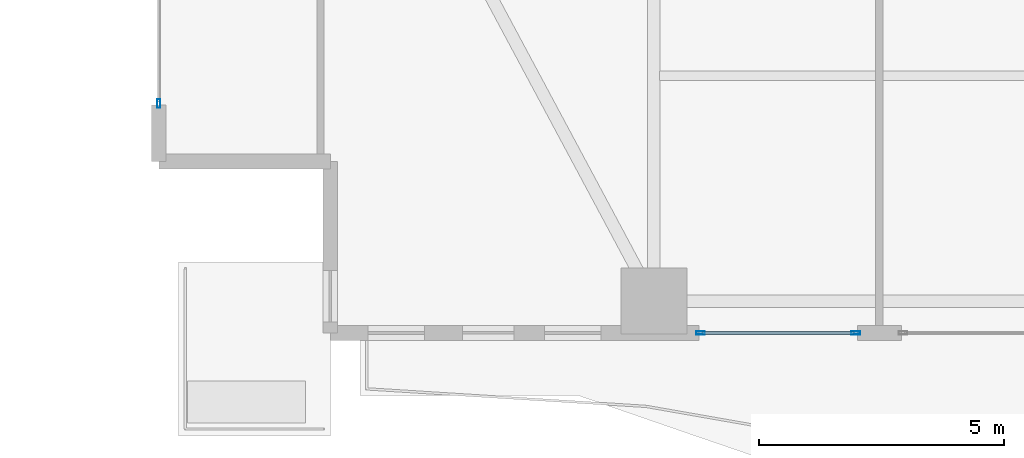
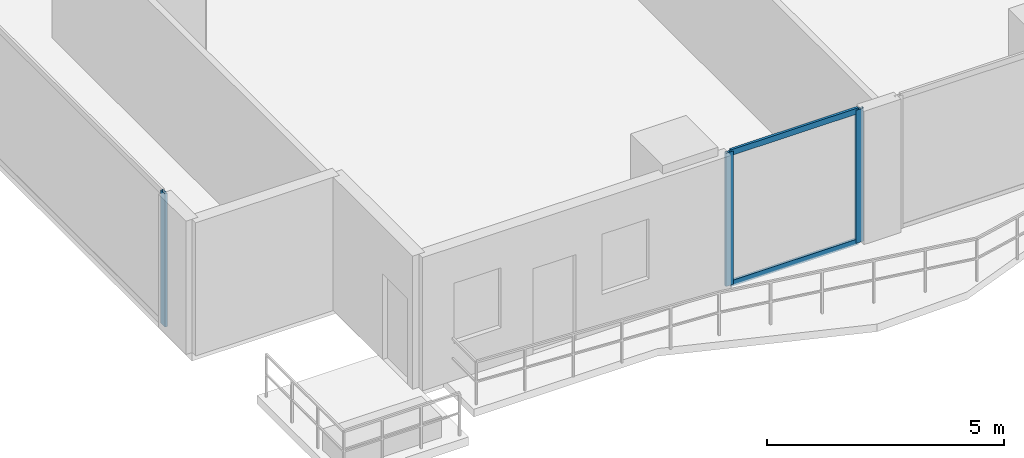
# One storey, part 2 of 27: 5 members, 2 elements without a shape of their own.
"""IFC4 building model written with IfcOpenShell, lengths in metres."""

from ifc_helpers import new_model, si_unit, direction, frame, origin, origin_2d, place, context, subcontext, project, spatial, hollow_rectangle, extrude, material, layer, layer_set, material_profile, profile_set, type_object, element, aggregate, save


model = new_model("IFC4")

# Units and contexts
model_context = context("Model", 3, precision=1e-05, world=origin(), true_north=direction((0.0, 1.0)))
body_context = subcontext(model_context, "Body", "Model", "MODEL_VIEW")
ifc_project = project(units=[si_unit("LENGTHUNIT", "METRE"), si_unit("AREAUNIT", "SQUARE_METRE"), si_unit("VOLUMEUNIT", "CUBIC_METRE"), si_unit("PLANEANGLEUNIT", "RADIAN"), si_unit("MASSUNIT", "GRAM", prefix="KILO")], contexts=[model_context])

# Site, building, storey
site_placement = place(None, origin())
site = spatial("IfcSite", under=ifc_project, at=site_placement, CompositionType="ELEMENT")
building_placement = place(site_placement, origin())
building = spatial("IfcBuilding", under=site, at=building_placement, Name="Zuhayl Quay Hotel", CompositionType="ELEMENT")
storey_placement = place(building_placement, frame((0.0, 0.0, 117.550048828125)))
storey = spatial("IfcBuildingStorey", under=building, at=storey_placement, Name="L29", CompositionType="ELEMENT", Elevation=117.550048828125)

# Curtain wall, member
ifc_material_1 = material(Name="Anodised Aluminium 6063-T6", Category="aluminium")
ifc_layer = layer(ifc_material_1, 0.179931640625, Name="Anodised Aluminium 6063-T6", Category="aluminium")
ifc_layer_set = layer_set([ifc_layer], Name="Anodised Aluminium 6063-T6")
curtain_wall_type = type_object("IfcCurtainWallType", Name="CW_SYS_Z2", PredefinedType="USERDEFINED", material=ifc_layer_set)
curtain_wall_1_placement = place(storey_placement, origin())
curtain_wall_1 = element("IfcCurtainWall", 1, at=curtain_wall_1_placement, inside=storey, type_object=curtain_wall_type, Name="L29 Curtain Wall ENV_L29_E02_CW1", ObjectType="UNITISED CURTAIN WALL", PredefinedType="USERDEFINED")
ifc_material_2 = material(Name="Black-anodised aluminium 6063-T6", Category="aluminium")
ifc_material_profile_1 = material_profile(ifc_material_2, hollow_rectangle(XDim=0.06494140625, YDim=0.179931640625, WallThickness=0.00341796875, at=origin_2d()), Name="ALU180X65")
ifc_profile_set_1 = profile_set([ifc_material_profile_1], Name="Black-anodised aluminium 6063-T6")
member_type_1 = type_object("IfcMemberType", Name="MB_CW_MUL_180", PredefinedType="MULLION", material=ifc_profile_set_1)
member_1_placement = place(storey_placement, frame((-23.89990234375, -10.717529296875, 0.0), z_axis=(0.0, 0.0, 1.0), x_axis=(-1.0, 0.0, 0.0)))
member_1 = element("IfcMember", 2, at=member_1_placement, type_object=member_type_1, Name="CW-Z2 mullion 1", PredefinedType="MULLION", context=body_context, shape_type="SweptSolid", body=[
    extrude(hollow_rectangle(XDim=0.06494140625, YDim=0.179931640625, WallThickness=0.00341796875, at=origin_2d()), origin(), (0.0, 0.0, 1.0), 3.429931640625),
])
aggregate(curtain_wall_1, [member_1])

# Curtain wall, members
curtain_wall_2_placement = place(storey_placement, origin())
curtain_wall_2 = element("IfcCurtainWall", 3, at=curtain_wall_2_placement, inside=storey, type_object=curtain_wall_type, Name="L29 Curtain Wall ENV_L29_S_CW7", ObjectType="UNITISED CURTAIN WALL", PredefinedType="USERDEFINED")
member_2_placement = place(storey_placement, frame((-9.6826171875, -15.39990234375, 0.0), z_axis=(0.0, 0.0, 1.0), x_axis=(0.0, -1.0, 0.0)))
member_2 = element("IfcMember", 4, at=member_2_placement, type_object=member_type_1, Name="CW-Z2 mullion 1", PredefinedType="MULLION", context=body_context, shape_type="SweptSolid", body=[
    extrude(hollow_rectangle(XDim=0.06494140625, YDim=0.179931640625, WallThickness=0.00341796875, at=origin_2d()), origin(), (0.0, 0.0, 1.0), 3.429931640625),
])
member_3_placement = place(storey_placement, frame((-12.847412109375, -15.39990234375, 0.0), z_axis=(0.0, 0.0, 1.0), x_axis=(0.0, -1.0, 0.0)))
member_3 = element("IfcMember", 5, at=member_3_placement, type_object=member_type_1, Name="CW-Z2 mullion 2", PredefinedType="MULLION", context=body_context, shape_type="SweptSolid", body=[
    extrude(hollow_rectangle(XDim=0.06494140625, YDim=0.179931640625, WallThickness=0.00341796875, at=origin_2d()), origin(), (0.0, 0.0, 1.0), 3.429931640625),
])
ifc_material_profile_2 = material_profile(ifc_material_2, hollow_rectangle(XDim=0.06005859375, YDim=0.14990234375, WallThickness=0.00341796875, at=origin_2d()), Name="ALU150X60")
ifc_profile_set_2 = profile_set([ifc_material_profile_2], Name="Black-anodised aluminium 6063-T6")
member_type_2 = type_object("IfcMemberType", Name="MB_CW_TRN_150", PredefinedType="USERDEFINED", material=ifc_profile_set_2)
member_4_placement = place(storey_placement, frame((-9.715087890625, -15.39990234375, 0.030029296875), z_axis=(-1.0, 0.0, 0.0), x_axis=(0.0, -1.0, 0.0)))
member_4 = element("IfcMember", 6, at=member_4_placement, type_object=member_type_2, Name="CW-Z2 transom 1.1", ObjectType="TRANSOM", PredefinedType="USERDEFINED", context=body_context, shape_type="SweptSolid", body=[
    extrude(hollow_rectangle(XDim=0.06005859375, YDim=0.14990234375, WallThickness=0.00341796875, at=origin_2d()), origin(), (0.0, 0.0, 1.0), 3.099853515625),
])
member_5_placement = place(storey_placement, frame((-9.715087890625, -15.39990234375, 3.39990234375), z_axis=(-1.0, 0.0, 0.0), x_axis=(0.0, -1.0, 0.0)))
member_5 = element("IfcMember", 7, at=member_5_placement, type_object=member_type_2, Name="CW-Z2 transom 1.2", ObjectType="TRANSOM", PredefinedType="USERDEFINED", context=body_context, shape_type="SweptSolid", body=[
    extrude(hollow_rectangle(XDim=0.06005859375, YDim=0.14990234375, WallThickness=0.00341796875, at=origin_2d()), origin(), (0.0, 0.0, 1.0), 3.099853515625),
])
aggregate(curtain_wall_2, [member_2, member_3, member_4, member_5])

save(model, "model.ifc")
